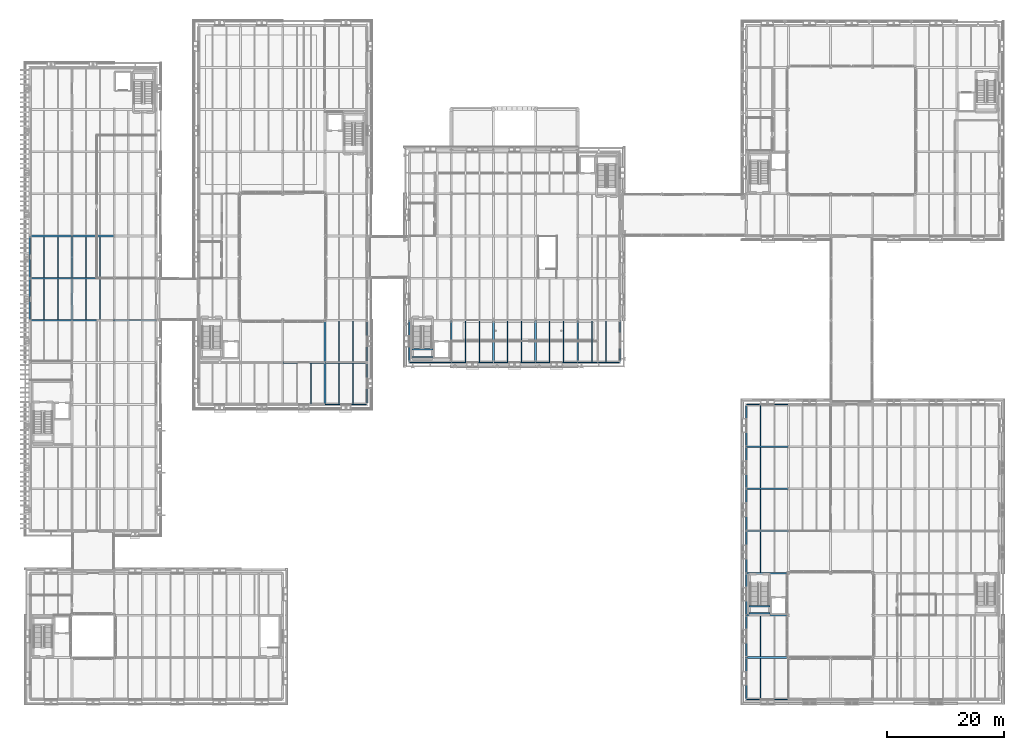
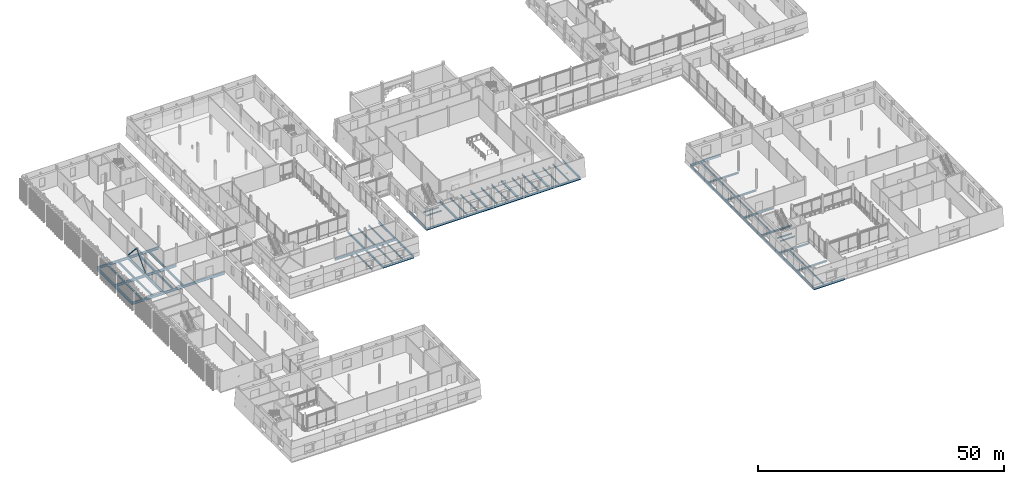
# One storey, part 26 of 121: 75 beams, 2 members.
"""IFC4 building model written with IfcOpenShell, lengths in metres."""

from ifc_helpers import new_model, si_unit, direction, frame, origin, origin_2d, place, context, subcontext, project, spatial, hollow_circle, i_section, extrude, material, material_profile, profile_set, type_object, element, save


model = new_model("IFC4")

# Units and contexts
model_context = context("Model", 3, precision=1e-05, world=origin(), true_north=direction((0.0, 1.0)))
body_context = subcontext(model_context, "Body", "Model", "MODEL_VIEW")
ifc_project = project(units=[si_unit("LENGTHUNIT", "METRE"), si_unit("AREAUNIT", "SQUARE_METRE"), si_unit("VOLUMEUNIT", "CUBIC_METRE"), si_unit("PLANEANGLEUNIT", "RADIAN"), si_unit("MASSUNIT", "GRAM", prefix="KILO")], contexts=[model_context])

# Site, building, storey
site_placement = place(None, origin())
site = spatial("IfcSite", under=ifc_project, at=site_placement, CompositionType="ELEMENT")
building_placement = place(site_placement, origin())
building = spatial("IfcBuilding", under=site, at=building_placement, Name="Narikvali Park Central Library", CompositionType="ELEMENT")
storey_placement = place(building_placement, frame((0.0, 0.0, 5.39990234375)))
storey = spatial("IfcBuildingStorey", under=building, at=storey_placement, Name="L01", CompositionType="ELEMENT", Elevation=5.39990234375)

# Beams
ifc_material = material(Name="Steel S355", Category="steel")
ifc_material_profile_1 = material_profile(ifc_material, i_section(OverallWidth=0.179931640625, OverallDepth=0.39990234375, WebThickness=0.008544921875, FlangeThickness=0.013427734375, FilletRadius=0.02099609375, at=origin_2d()), Name="IPE 400")
ifc_profile_set_1 = profile_set([ifc_material_profile_1], Name="Steel S355")
beam_type_1 = type_object("IfcBeamType", Name="Composite Floor Joist IPE400", PredefinedType="JOIST", material=ifc_profile_set_1)
beam_1_placement = place(storey_placement, frame((124.800048828125, 0.10498046875, -0.47998046875), z_axis=(0.0, 1.0, 0.0), x_axis=(-1.0, 0.0, 0.0)))
element("IfcBeam", 1, at=beam_1_placement, inside=storey, type_object=beam_type_1, Name="V6 L01 Composite Joist 1", PredefinedType="JOIST", context=body_context, shape_type="SweptSolid", body=[
    extrude(i_section(OverallWidth=0.179931640625, OverallDepth=0.39990234375, WebThickness=0.008544921875, FlangeThickness=0.013427734375, FilletRadius=0.02099609375, at=origin_2d()), origin(), (0.0, 0.0, 1.0), 6.945068359375),
])
for number, where, z_axis, x_axis, name in (
    (2, (124.800048828125, 7.35009765625, -0.47998046875), (0.0, 1.0, 0.0), (-1.0, 0.0, 0.0), "V6 L01 Composite Joist 1"),
    (3, (124.800048828125, 21.75, -0.47998046875), (0.0, 1.0, 0.0), (-1.0, 0.0, 0.0), "V6 L01 Composite Joist 1"),
):
    element("IfcBeam", number, at=place(storey_placement, frame(where, z_axis=z_axis, x_axis=x_axis)), inside=storey, type_object=beam_type_1, Name=name, PredefinedType="JOIST", context=body_context, shape_type="SweptSolid", body=[
        extrude(i_section(OverallWidth=0.179931640625, OverallDepth=0.39990234375, WebThickness=0.008544921875, FlangeThickness=0.013427734375, FilletRadius=0.02099609375, at=origin_2d()), origin(), (0.0, 0.0, 1.0), 6.89990234375),
    ])
for number, where, z_axis, x_axis, name in (
    (4, (124.800048828125, 28.949951171875, -0.47998046875), (0.0, 1.0, 0.0), (-1.0, 0.0, 0.0), "V6 L01 Composite Joist 1"),
    (5, (124.800048828125, 36.14990234375, -0.47998046875), (0.0, 1.0, 0.0), (-1.0, 0.0, 0.0), "V6 L01 Composite Joist 1"),
):
    element("IfcBeam", number, at=place(storey_placement, frame(where, z_axis=z_axis, x_axis=x_axis)), inside=storey, type_object=beam_type_1, Name=name, PredefinedType="JOIST", context=body_context, shape_type="SweptSolid", body=[
        extrude(i_section(OverallWidth=0.179931640625, OverallDepth=0.39990234375, WebThickness=0.008544921875, FlangeThickness=0.013427734375, FilletRadius=0.02099609375, at=origin_2d()), origin(), (0.0, 0.0, 1.0), 6.900146484375),
    ])
beam_2_placement = place(storey_placement, frame((124.800048828125, 43.35009765625, -0.47998046875), z_axis=(0.0, 1.0, 0.0), x_axis=(-1.0, 0.0, 0.0)))
element("IfcBeam", 6, at=beam_2_placement, inside=storey, type_object=beam_type_1, Name="V6 L01 Composite Joist 1", PredefinedType="JOIST", context=body_context, shape_type="SweptSolid", body=[
    extrude(i_section(OverallWidth=0.179931640625, OverallDepth=0.39990234375, WebThickness=0.008544921875, FlangeThickness=0.013427734375, FilletRadius=0.02099609375, at=origin_2d()), origin(), (0.0, 0.0, 1.0), 6.94482421875),
])
ifc_material_profile_2 = material_profile(ifc_material, i_section(OverallWidth=0.239990234375, OverallDepth=0.239990234375, WebThickness=0.010009765625, FlangeThickness=0.01708984375, FilletRadius=0.02099609375, at=origin_2d()), Name="HEB 240")
ifc_profile_set_2 = profile_set([ifc_material_profile_2], Name="Steel S355")
beam_type_2 = type_object("IfcBeamType", Name="Core Trimmer Girder HEB240", PredefinedType="BEAM", material=ifc_profile_set_2)
for number, where, z_axis, x_axis, name in (
    (7, (65.27001953125, 58.52001953125, 2.080078125), (1.0, 0.0, 0.0), (0.0, 1.0, 0.0), "ST-01 L01 Landing Trimmer Beam 1-1"),
    (8, (65.27001953125, 59.824951171875, 2.080078125), (1.0, 0.0, 0.0), (0.0, 1.0, 0.0), "ST-01 L01 Landing Trimmer Beam 1-2"),
):
    element("IfcBeam", number, at=place(storey_placement, frame(where, z_axis=z_axis, x_axis=x_axis)), inside=storey, type_object=beam_type_2, Name=name, PredefinedType="BEAM", context=body_context, shape_type="SweptSolid", body=[
        extrude(i_section(OverallWidth=0.239990234375, OverallDepth=0.239990234375, WebThickness=0.010009765625, FlangeThickness=0.01708984375, FilletRadius=0.02099609375, at=origin_2d()), origin(), (0.0, 0.0, 1.0), 3.56005859375),
    ])
ifc_material_profile_3 = material_profile(ifc_material, i_section(OverallWidth=0.264892578125, OverallDepth=0.7529296875, WebThickness=0.01318359375, FlangeThickness=0.01708984375, FilletRadius=0.01708984375, at=origin_2d()), Name="IPE 750x147")
ifc_profile_set_3 = profile_set([ifc_material_profile_3], Name="Steel S355")
beam_type_3 = type_object("IfcBeamType", Name="Fin Facade Spandrel IPE750", PredefinedType="SPANDREL", material=ifc_profile_set_3)
for number, where, z_axis, x_axis, name in (
    (9, (0.0, 64.80810546875, -0.676513671875), (0.0, 1.0, 0.0), (-1.0, 0.0, 0.0), "V5 L01 Girder Y"),
    (10, (0.0, 72.008056640625, -0.676513671875), (0.0, 1.0, 0.0), (-1.0, 0.0, 0.0), "V5 L01 Girder Y"),
):
    element("IfcBeam", number, at=place(storey_placement, frame(where, z_axis=z_axis, x_axis=x_axis)), inside=storey, type_object=beam_type_3, Name=name, PredefinedType="SPANDREL", context=body_context, shape_type="SweptSolid", body=[
        extrude(i_section(OverallWidth=0.264892578125, OverallDepth=0.7529296875, WebThickness=0.01318359375, FlangeThickness=0.01708984375, FilletRadius=0.01708984375, at=origin_2d()), origin(), (0.0, 0.0, 1.0), 7.183837890625),
    ])
ifc_material_profile_4 = material_profile(ifc_material, i_section(OverallWidth=0.181884765625, OverallDepth=0.404052734375, WebThickness=0.009765625, FlangeThickness=0.015380859375, FilletRadius=0.02099609375, at=origin_2d()), Name="IPEO 400")
ifc_profile_set_4 = profile_set([ifc_material_profile_4], Name="Steel S355")
beam_type_4 = type_object("IfcBeamType", Name="Gallery Floor Joist IPEO400", PredefinedType="JOIST", material=ifc_profile_set_4)
for number, where, z_axis, x_axis, name in (
    (11, (74.39990234375, 57.705078125, -0.48193359375), (0.0, 1.0, 0.0), (-1.0, 0.0, 0.0), "V1 L01 Composite Joist 1"),
    (12, (76.800048828125, 57.705078125, -0.48193359375), (0.0, 1.0, 0.0), (-1.0, 0.0, 0.0), "V1 L01 Composite Joist 2"),
    (13, (81.60009765625, 57.705078125, -0.48193359375), (0.0, 1.0, 0.0), (-1.0, 0.0, 0.0), "V1 L01 Composite Joist 1"),
    (14, (84.0, 57.705078125, -0.48193359375), (0.0, 1.0, 0.0), (-1.0, 0.0, 0.0), "V1 L01 Composite Joist 2"),
    (15, (88.800048828125, 57.705078125, -0.48193359375), (0.0, 1.0, 0.0), (-1.0, 0.0, 0.0), "V1 L01 Composite Joist 1"),
    (16, (91.199951171875, 57.705078125, -0.48193359375), (0.0, 1.0, 0.0), (-1.0, 0.0, 0.0), "V1 L01 Composite Joist 2"),
    (17, (96.0, 57.705078125, -0.48193359375), (0.0, 1.0, 0.0), (-1.0, 0.0, 0.0), "V1 L01 Composite Joist 1"),
    (18, (98.39990234375, 57.705078125, -0.48193359375), (0.0, 1.0, 0.0), (-1.0, 0.0, 0.0), "V1 L01 Composite Joist 2"),
):
    element("IfcBeam", number, at=place(storey_placement, frame(where, z_axis=z_axis, x_axis=x_axis)), inside=storey, type_object=beam_type_4, Name=name, PredefinedType="JOIST", context=body_context, shape_type="SweptSolid", body=[
        extrude(i_section(OverallWidth=0.181884765625, OverallDepth=0.404052734375, WebThickness=0.009765625, FlangeThickness=0.015380859375, FilletRadius=0.02099609375, at=origin_2d()), origin(), (0.0, 0.0, 1.0), 6.94482421875),
    ])
for number, where, z_axis, x_axis, name in (
    (19, (48.0, 50.5048828125, -0.48193359375), (0.0, 1.0, 0.0), (-1.0, 0.0, 0.0), "V4 L01 Composite Joist 2"),
    (20, (52.800048828125, 50.5048828125, -0.48193359375), (0.0, 1.0, 0.0), (-1.0, 0.0, 0.0), "V4 L01 Composite Joist 1"),
    (21, (55.199951171875, 50.5048828125, -0.48193359375), (0.0, 1.0, 0.0), (-1.0, 0.0, 0.0), "V4 L01 Composite Joist 2"),
):
    element("IfcBeam", number, at=place(storey_placement, frame(where, z_axis=z_axis, x_axis=x_axis)), inside=storey, type_object=beam_type_4, Name=name, PredefinedType="JOIST", context=body_context, shape_type="SweptSolid", body=[
        extrude(i_section(OverallWidth=0.181884765625, OverallDepth=0.404052734375, WebThickness=0.009765625, FlangeThickness=0.015380859375, FilletRadius=0.02099609375, at=origin_2d()), origin(), (0.0, 0.0, 1.0), 6.945068359375),
    ])
for number, where, z_axis, x_axis, name in (
    (22, (52.800048828125, 57.75, -0.48193359375), (0.0, 1.0, 0.0), (-1.0, 0.0, 0.0), "V4 L01 Composite Joist 1"),
    (23, (55.199951171875, 57.75, -0.48193359375), (0.0, 1.0, 0.0), (-1.0, 0.0, 0.0), "V4 L01 Composite Joist 2"),
):
    element("IfcBeam", number, at=place(storey_placement, frame(where, z_axis=z_axis, x_axis=x_axis)), inside=storey, type_object=beam_type_4, Name=name, PredefinedType="JOIST", context=body_context, shape_type="SweptSolid", body=[
        extrude(i_section(OverallWidth=0.181884765625, OverallDepth=0.404052734375, WebThickness=0.009765625, FlangeThickness=0.015380859375, FilletRadius=0.02099609375, at=origin_2d()), origin(), (0.0, 0.0, 1.0), 6.89990234375),
    ])

# Members
ifc_material_profile_5 = material_profile(ifc_material, hollow_circle(Radius=0.136474609375, WallThickness=0.01416015625, at=origin_2d()), Name="CHS 273x14.2")
ifc_profile_set_5 = profile_set([ifc_material_profile_5], Name="Steel S355")
member_type = type_object("IfcMemberType", Name="Heavy Stack Chevron Brace CHS273x14", PredefinedType="BRACE", material=ifc_profile_set_5)
member_1_placement = place(storey_placement, frame((7.199951171875, 72.014892578125, 0.01513671875), z_axis=(0.0, 0.670704011368, 0.741725103481), x_axis=(-1.0, 0.0, 0.0)))
element("IfcMember", 24, at=member_1_placement, inside=storey, type_object=member_type, Name="V5 L01 Seismic Chevron Brace A", PredefinedType="BRACE", context=body_context, shape_type="SweptSolid", body=[
    extrude(hollow_circle(Radius=0.136474609375, WallThickness=0.01416015625, at=origin_2d()), origin(), (0.0, 0.0, 1.0), 5.345458984375),
])
member_2_placement = place(storey_placement, frame((7.199951171875, 79.18505859375, 0.01513671875), z_axis=(0.0, -0.670678883083, 0.741747824929), x_axis=(1.0, 0.0, 0.0)))
element("IfcMember", 25, at=member_2_placement, inside=storey, type_object=member_type, Name="V5 L01 Seismic Chevron Brace B", PredefinedType="BRACE", context=body_context, shape_type="SweptSolid", body=[
    extrude(hollow_circle(Radius=0.136474609375, WallThickness=0.01416015625, at=origin_2d()), origin(), (0.0, 0.0, 1.0), 5.34521484375),
])

# Beams
ifc_material_profile_6 = material_profile(ifc_material, i_section(OverallWidth=0.2119140625, OverallDepth=0.555908203125, WebThickness=0.0126953125, FlangeThickness=0.020263671875, FilletRadius=0.02392578125, at=origin_2d()), Name="IPEO 550")
ifc_profile_set_6 = profile_set([ifc_material_profile_6], Name="Steel S355")
beam_type_5 = type_object("IfcBeamType", Name="Heavy Stack Joist IPEO550", PredefinedType="JOIST", material=ifc_profile_set_6)
for number, where, z_axis, x_axis, name in (
    (26, (2.39990234375, 64.949951171875, -0.577880859375), (0.0, 1.0, 0.0), (-1.0, 0.0, 0.0), "V5 L01 Composite Joist 1"),
    (27, (4.800048828125, 64.949951171875, -0.577880859375), (0.0, 1.0, 0.0), (-1.0, 0.0, 0.0), "V5 L01 Composite Joist 2"),
    (28, (2.39990234375, 72.14990234375, -0.577880859375), (0.0, 1.0, 0.0), (-1.0, 0.0, 0.0), "V5 L01 Composite Joist 1"),
    (29, (4.800048828125, 72.14990234375, -0.577880859375), (0.0, 1.0, 0.0), (-1.0, 0.0, 0.0), "V5 L01 Composite Joist 2"),
    (30, (9.60009765625, 64.949951171875, -0.577880859375), (0.0, 1.0, 0.0), (-1.0, 0.0, 0.0), "V5 L01 Composite Joist 1"),
    (31, (12.0, 64.949951171875, -0.577880859375), (0.0, 1.0, 0.0), (-1.0, 0.0, 0.0), "V5 L01 Composite Joist 2"),
    (32, (9.60009765625, 72.14990234375, -0.577880859375), (0.0, 1.0, 0.0), (-1.0, 0.0, 0.0), "V5 L01 Composite Joist 1"),
    (33, (12.0, 72.14990234375, -0.577880859375), (0.0, 1.0, 0.0), (-1.0, 0.0, 0.0), "V5 L01 Composite Joist 2"),
):
    element("IfcBeam", number, at=place(storey_placement, frame(where, z_axis=z_axis, x_axis=x_axis)), inside=storey, type_object=beam_type_5, Name=name, PredefinedType="JOIST", context=body_context, shape_type="SweptSolid", body=[
        extrude(i_section(OverallWidth=0.2119140625, OverallDepth=0.555908203125, WebThickness=0.0126953125, FlangeThickness=0.020263671875, FilletRadius=0.02392578125, at=origin_2d()), origin(), (0.0, 0.0, 1.0), 6.900146484375),
    ])
ifc_material_profile_7 = material_profile(ifc_material, i_section(OverallWidth=0.2099609375, OverallDepth=0.550048828125, WebThickness=0.010986328125, FlangeThickness=0.01708984375, FilletRadius=0.02392578125, at=origin_2d()), Name="IPE 550")
ifc_profile_set_7 = profile_set([ifc_material_profile_7], Name="Steel S355")
beam_type_6 = type_object("IfcBeamType", Name="Perimeter Spandrel IPE550", PredefinedType="SPANDREL", material=ifc_profile_set_7)
for number, where, z_axis, x_axis, name in (
    (34, (64.80810546875, 57.60009765625, -0.554931640625), (1.0, 0.0, 0.0), (0.0, 1.0, 0.0), "V1 L01 Girder X"),
    (35, (72.008056640625, 57.60009765625, -0.554931640625), (1.0, 0.0, 0.0), (0.0, 1.0, 0.0), "V1 L01 Girder X"),
):
    element("IfcBeam", number, at=place(storey_placement, frame(where, z_axis=z_axis, x_axis=x_axis)), inside=storey, type_object=beam_type_6, Name=name, PredefinedType="SPANDREL", context=body_context, shape_type="SweptSolid", body=[
        extrude(i_section(OverallWidth=0.2099609375, OverallDepth=0.550048828125, WebThickness=0.010986328125, FlangeThickness=0.01708984375, FilletRadius=0.02392578125, at=origin_2d()), origin(), (0.0, 0.0, 1.0), 7.183837890625),
    ])
for number, where, z_axis, x_axis, name in (
    (36, (79.2080078125, 57.60009765625, -0.554931640625), (1.0, 0.0, 0.0), (0.0, 1.0, 0.0), "V1 L01 Girder X"),
    (37, (86.407958984375, 57.60009765625, -0.554931640625), (1.0, 0.0, 0.0), (0.0, 1.0, 0.0), "V1 L01 Girder X"),
    (38, (93.60791015625, 57.60009765625, -0.554931640625), (1.0, 0.0, 0.0), (0.0, 1.0, 0.0), "V1 L01 Girder X"),
    (39, (64.800048828125, 57.60791015625, -0.554931640625), (0.0, 1.0, 0.0), (-1.0, 0.0, 0.0), "V1 L01 Girder Y"),
    (40, (100.800048828125, 57.60791015625, -0.554931640625), (0.0, 1.0, 0.0), (-1.0, 0.0, 0.0), "V1 L01 Girder Y"),
    (41, (50.407958984375, 50.39990234375, -0.554931640625), (1.0, 0.0, 0.0), (0.0, 1.0, 0.0), "V4 L01 Girder X"),
    (42, (57.60009765625, 50.407958984375, -0.554931640625), (0.0, 1.0, 0.0), (-1.0, 0.0, 0.0), "V4 L01 Girder Y"),
    (43, (57.60009765625, 57.60791015625, -0.554931640625), (0.0, 1.0, 0.0), (-1.0, 0.0, 0.0), "V4 L01 Girder Y"),
    (44, (122.407958984375, 0.0, -0.554931640625), (1.0, 0.0, 0.0), (0.0, 1.0, 0.0), "V6 L01 Girder X"),
    (45, (122.407958984375, 50.39990234375, -0.554931640625), (1.0, 0.0, 0.0), (0.0, 1.0, 0.0), "V6 L01 Girder X"),
):
    element("IfcBeam", number, at=place(storey_placement, frame(where, z_axis=z_axis, x_axis=x_axis)), inside=storey, type_object=beam_type_6, Name=name, PredefinedType="SPANDREL", context=body_context, shape_type="SweptSolid", body=[
        extrude(i_section(OverallWidth=0.2099609375, OverallDepth=0.550048828125, WebThickness=0.010986328125, FlangeThickness=0.01708984375, FilletRadius=0.02392578125, at=origin_2d()), origin(), (0.0, 0.0, 1.0), 7.18408203125),
    ])
beam_3_placement = place(storey_placement, frame((122.39990234375, 0.008056640625, -0.554931640625), z_axis=(0.0, 1.0, 0.0), x_axis=(-1.0, 0.0, 0.0)))
element("IfcBeam", 46, at=beam_3_placement, inside=storey, type_object=beam_type_6, Name="V6 L01 Girder Y", PredefinedType="SPANDREL", context=body_context, shape_type="SweptSolid", body=[
    extrude(i_section(OverallWidth=0.2099609375, OverallDepth=0.550048828125, WebThickness=0.010986328125, FlangeThickness=0.01708984375, FilletRadius=0.02392578125, at=origin_2d()), origin(), (0.0, 0.0, 1.0), 7.183837890625),
])
for number, where, z_axis, x_axis, name in (
    (47, (122.39990234375, 7.2080078125, -0.554931640625), (0.0, 1.0, 0.0), (-1.0, 0.0, 0.0), "V6 L01 Girder Y"),
    (48, (122.39990234375, 14.407958984375, -0.554931640625), (0.0, 1.0, 0.0), (-1.0, 0.0, 0.0), "V6 L01 Girder Y"),
    (49, (122.39990234375, 21.60791015625, -0.554931640625), (0.0, 1.0, 0.0), (-1.0, 0.0, 0.0), "V6 L01 Girder Y"),
):
    element("IfcBeam", number, at=place(storey_placement, frame(where, z_axis=z_axis, x_axis=x_axis)), inside=storey, type_object=beam_type_6, Name=name, PredefinedType="SPANDREL", context=body_context, shape_type="SweptSolid", body=[
        extrude(i_section(OverallWidth=0.2099609375, OverallDepth=0.550048828125, WebThickness=0.010986328125, FlangeThickness=0.01708984375, FilletRadius=0.02392578125, at=origin_2d()), origin(), (0.0, 0.0, 1.0), 7.18408203125),
    ])
for number, where, z_axis, x_axis, name in (
    (50, (122.39990234375, 28.80810546875, -0.554931640625), (0.0, 1.0, 0.0), (-1.0, 0.0, 0.0), "V6 L01 Girder Y"),
    (51, (122.39990234375, 36.008056640625, -0.554931640625), (0.0, 1.0, 0.0), (-1.0, 0.0, 0.0), "V6 L01 Girder Y"),
):
    element("IfcBeam", number, at=place(storey_placement, frame(where, z_axis=z_axis, x_axis=x_axis)), inside=storey, type_object=beam_type_6, Name=name, PredefinedType="SPANDREL", context=body_context, shape_type="SweptSolid", body=[
        extrude(i_section(OverallWidth=0.2099609375, OverallDepth=0.550048828125, WebThickness=0.010986328125, FlangeThickness=0.01708984375, FilletRadius=0.02392578125, at=origin_2d()), origin(), (0.0, 0.0, 1.0), 7.183837890625),
    ])
beam_4_placement = place(storey_placement, frame((122.39990234375, 43.2080078125, -0.554931640625), z_axis=(0.0, 1.0, 0.0), x_axis=(-1.0, 0.0, 0.0)))
element("IfcBeam", 52, at=beam_4_placement, inside=storey, type_object=beam_type_6, Name="V6 L01 Girder Y", PredefinedType="SPANDREL", context=body_context, shape_type="SweptSolid", body=[
    extrude(i_section(OverallWidth=0.2099609375, OverallDepth=0.550048828125, WebThickness=0.010986328125, FlangeThickness=0.01708984375, FilletRadius=0.02392578125, at=origin_2d()), origin(), (0.0, 0.0, 1.0), 7.18408203125),
])
ifc_material_profile_8 = material_profile(ifc_material, i_section(OverallWidth=0.239990234375, OverallDepth=0.22998046875, WebThickness=0.007568359375, FlangeThickness=0.011962890625, FilletRadius=0.02099609375, at=origin_2d()), Name="HEA 240")
ifc_profile_set_8 = profile_set([ifc_material_profile_8], Name="Steel S355")
beam_type_7 = type_object("IfcBeamType", Name="Primary Girder HEA240", PredefinedType="BEAM", material=ifc_profile_set_8)
for number, where, z_axis, x_axis, name in (
    (53, (122.8701171875, 14.77001953125, 2.085205078125), (1.0, 0.0, 0.0), (0.0, 1.0, 0.0), "ST-11 L01 Landing Trimmer Beam 1-1"),
    (54, (122.8701171875, 15.97509765625, 2.085205078125), (1.0, 0.0, 0.0), (0.0, 1.0, 0.0), "ST-11 L01 Landing Trimmer Beam 1-2"),
):
    element("IfcBeam", number, at=place(storey_placement, frame(where, z_axis=z_axis, x_axis=x_axis)), inside=storey, type_object=beam_type_7, Name=name, PredefinedType="BEAM", context=body_context, shape_type="SweptSolid", body=[
        extrude(i_section(OverallWidth=0.239990234375, OverallDepth=0.22998046875, WebThickness=0.007568359375, FlangeThickness=0.011962890625, FilletRadius=0.02099609375, at=origin_2d()), origin(), (0.0, 0.0, 1.0), 3.559814453125),
    ])
ifc_material_profile_9 = material_profile(ifc_material, i_section(OverallWidth=0.300048828125, OverallDepth=0.389892578125, WebThickness=0.010986328125, FlangeThickness=0.01904296875, FilletRadius=0.027099609375, at=origin_2d()), Name="HEA 400")
ifc_profile_set_9 = profile_set([ifc_material_profile_9], Name="Steel S355")
beam_type_8 = type_object("IfcBeamType", Name="Primary Girder HEA400", PredefinedType="BEAM", material=ifc_profile_set_9)
for number, where, z_axis, x_axis, name in (
    (55, (122.407958984375, 7.199951171875, -0.474853515625), (1.0, 0.0, 0.0), (0.0, 1.0, 0.0), "V6 L01 Girder X"),
    (56, (122.407958984375, 14.39990234375, -0.474853515625), (1.0, 0.0, 0.0), (0.0, 1.0, 0.0), "V6 L01 Girder X"),
    (57, (122.407958984375, 21.60009765625, -0.474853515625), (1.0, 0.0, 0.0), (0.0, 1.0, 0.0), "V6 L01 Girder X"),
    (58, (122.407958984375, 28.800048828125, -0.474853515625), (1.0, 0.0, 0.0), (0.0, 1.0, 0.0), "V6 L01 Girder X"),
    (59, (122.407958984375, 36.0, -0.474853515625), (1.0, 0.0, 0.0), (0.0, 1.0, 0.0), "V6 L01 Girder X"),
    (60, (122.407958984375, 43.199951171875, -0.474853515625), (1.0, 0.0, 0.0), (0.0, 1.0, 0.0), "V6 L01 Girder X"),
):
    element("IfcBeam", number, at=place(storey_placement, frame(where, z_axis=z_axis, x_axis=x_axis)), inside=storey, type_object=beam_type_8, Name=name, PredefinedType="BEAM", context=body_context, shape_type="SweptSolid", body=[
        extrude(i_section(OverallWidth=0.300048828125, OverallDepth=0.389892578125, WebThickness=0.010986328125, FlangeThickness=0.01904296875, FilletRadius=0.027099609375, at=origin_2d()), origin(), (0.0, 0.0, 1.0), 7.18408203125),
    ])
ifc_material_profile_10 = material_profile(ifc_material, i_section(OverallWidth=0.300048828125, OverallDepth=0.43994140625, WebThickness=0.011474609375, FlangeThickness=0.02099609375, FilletRadius=0.027099609375, at=origin_2d()), Name="HEA 450")
ifc_profile_set_10 = profile_set([ifc_material_profile_10], Name="Steel S355")
beam_type_9 = type_object("IfcBeamType", Name="Primary Girder HEA450", PredefinedType="BEAM", material=ifc_profile_set_10)
for number, where, z_axis, x_axis, name in (
    (61, (72.0, 57.60791015625, -0.5), (0.0, 1.0, 0.0), (-1.0, 0.0, 0.0), "V1 L01 Girder Y"),
    (62, (79.199951171875, 57.60791015625, -0.5), (0.0, 1.0, 0.0), (-1.0, 0.0, 0.0), "V1 L01 Girder Y"),
    (63, (86.39990234375, 57.60791015625, -0.5), (0.0, 1.0, 0.0), (-1.0, 0.0, 0.0), "V1 L01 Girder Y"),
    (64, (93.60009765625, 57.60791015625, -0.5), (0.0, 1.0, 0.0), (-1.0, 0.0, 0.0), "V1 L01 Girder Y"),
    (65, (50.39990234375, 50.407958984375, -0.5), (0.0, 1.0, 0.0), (-1.0, 0.0, 0.0), "V4 L01 Girder Y"),
    (66, (50.39990234375, 57.60791015625, -0.5), (0.0, 1.0, 0.0), (-1.0, 0.0, 0.0), "V4 L01 Girder Y"),
):
    element("IfcBeam", number, at=place(storey_placement, frame(where, z_axis=z_axis, x_axis=x_axis)), inside=storey, type_object=beam_type_9, Name=name, PredefinedType="BEAM", context=body_context, shape_type="SweptSolid", body=[
        extrude(i_section(OverallWidth=0.300048828125, OverallDepth=0.43994140625, WebThickness=0.011474609375, FlangeThickness=0.02099609375, FilletRadius=0.027099609375, at=origin_2d()), origin(), (0.0, 0.0, 1.0), 7.18408203125),
    ])
ifc_material_profile_11 = material_profile(ifc_material, i_section(OverallWidth=0.300048828125, OverallDepth=0.489990234375, WebThickness=0.011962890625, FlangeThickness=0.02294921875, FilletRadius=0.027099609375, at=origin_2d()), Name="HEA 500")
ifc_profile_set_11 = profile_set([ifc_material_profile_11], Name="Steel S355")
beam_type_10 = type_object("IfcBeamType", Name="Primary Girder HEA500", PredefinedType="BEAM", material=ifc_profile_set_11)
for number, where, z_axis, x_axis, name in (
    (67, (43.2080078125, 57.60009765625, -0.52490234375), (1.0, 0.0, 0.0), (0.0, 1.0, 0.0), "V4 L01 Girder X"),
    (68, (50.407958984375, 57.60009765625, -0.52490234375), (1.0, 0.0, 0.0), (0.0, 1.0, 0.0), "V4 L01 Girder X"),
):
    element("IfcBeam", number, at=place(storey_placement, frame(where, z_axis=z_axis, x_axis=x_axis)), inside=storey, type_object=beam_type_10, Name=name, PredefinedType="BEAM", context=body_context, shape_type="SweptSolid", body=[
        extrude(i_section(OverallWidth=0.300048828125, OverallDepth=0.489990234375, WebThickness=0.011962890625, FlangeThickness=0.02294921875, FilletRadius=0.027099609375, at=origin_2d()), origin(), (0.0, 0.0, 1.0), 7.18408203125),
    ])
ifc_material_profile_12 = material_profile(ifc_material, i_section(OverallWidth=0.300048828125, OverallDepth=0.590087890625, WebThickness=0.012939453125, FlangeThickness=0.02490234375, FilletRadius=0.027099609375, at=origin_2d()), Name="HEA 600")
ifc_profile_set_12 = profile_set([ifc_material_profile_12], Name="Steel S355")
beam_type_11 = type_object("IfcBeamType", Name="Primary Girder HEA600", PredefinedType="BEAM", material=ifc_profile_set_12)
for number, where, z_axis, x_axis, name in (
    (69, (7.199951171875, 64.80810546875, -0.594970703125), (0.0, 1.0, 0.0), (-1.0, 0.0, 0.0), "V5 L01 Girder Y"),
    (70, (7.199951171875, 72.008056640625, -0.594970703125), (0.0, 1.0, 0.0), (-1.0, 0.0, 0.0), "V5 L01 Girder Y"),
):
    element("IfcBeam", number, at=place(storey_placement, frame(where, z_axis=z_axis, x_axis=x_axis)), inside=storey, type_object=beam_type_11, Name=name, PredefinedType="BEAM", context=body_context, shape_type="SweptSolid", body=[
        extrude(i_section(OverallWidth=0.300048828125, OverallDepth=0.590087890625, WebThickness=0.012939453125, FlangeThickness=0.02490234375, FilletRadius=0.027099609375, at=origin_2d()), origin(), (0.0, 0.0, 1.0), 7.183837890625),
    ])
ifc_material_profile_13 = material_profile(ifc_material, i_section(OverallWidth=0.300048828125, OverallDepth=0.60009765625, WebThickness=0.015380859375, FlangeThickness=0.030029296875, FilletRadius=0.027099609375, at=origin_2d()), Name="HEB 600")
ifc_profile_set_13 = profile_set([ifc_material_profile_13], Name="Steel S355")
beam_type_12 = type_object("IfcBeamType", Name="Primary Stack Girder HEB600", PredefinedType="BEAM", material=ifc_profile_set_13)
beam_5_placement = place(storey_placement, frame((0.008056640625, 64.800048828125, -0.599853515625), z_axis=(1.0, 0.0, 0.0), x_axis=(0.0, 1.0, 0.0)))
element("IfcBeam", 71, at=beam_5_placement, inside=storey, type_object=beam_type_12, Name="V5 L01 Girder X", PredefinedType="BEAM", context=body_context, shape_type="SweptSolid", body=[
    extrude(i_section(OverallWidth=0.300048828125, OverallDepth=0.60009765625, WebThickness=0.015380859375, FlangeThickness=0.030029296875, FilletRadius=0.027099609375, at=origin_2d()), origin(), (0.0, 0.0, 1.0), 7.183837890625),
])
for number, where, z_axis, x_axis, name in (
    (72, (7.2080078125, 64.800048828125, -0.599853515625), (1.0, 0.0, 0.0), (0.0, 1.0, 0.0), "V5 L01 Girder X"),
    (73, (14.407958984375, 64.800048828125, -0.599853515625), (1.0, 0.0, 0.0), (0.0, 1.0, 0.0), "V5 L01 Girder X"),
):
    element("IfcBeam", number, at=place(storey_placement, frame(where, z_axis=z_axis, x_axis=x_axis)), inside=storey, type_object=beam_type_12, Name=name, PredefinedType="BEAM", context=body_context, shape_type="SweptSolid", body=[
        extrude(i_section(OverallWidth=0.300048828125, OverallDepth=0.60009765625, WebThickness=0.015380859375, FlangeThickness=0.030029296875, FilletRadius=0.027099609375, at=origin_2d()), origin(), (0.0, 0.0, 1.0), 7.18408203125),
    ])
beam_6_placement = place(storey_placement, frame((0.008056640625, 72.0, -0.599853515625), z_axis=(1.0, 0.0, 0.0), x_axis=(0.0, 1.0, 0.0)))
element("IfcBeam", 74, at=beam_6_placement, inside=storey, type_object=beam_type_12, Name="V5 L01 Girder X", PredefinedType="BEAM", context=body_context, shape_type="SweptSolid", body=[
    extrude(i_section(OverallWidth=0.300048828125, OverallDepth=0.60009765625, WebThickness=0.015380859375, FlangeThickness=0.030029296875, FilletRadius=0.027099609375, at=origin_2d()), origin(), (0.0, 0.0, 1.0), 7.183837890625),
])
beam_7_placement = place(storey_placement, frame((7.2080078125, 72.0, -0.599853515625), z_axis=(1.0, 0.0, 0.0), x_axis=(0.0, 1.0, 0.0)))
element("IfcBeam", 75, at=beam_7_placement, inside=storey, type_object=beam_type_12, Name="V5 L01 Girder X", PredefinedType="BEAM", context=body_context, shape_type="SweptSolid", body=[
    extrude(i_section(OverallWidth=0.300048828125, OverallDepth=0.60009765625, WebThickness=0.015380859375, FlangeThickness=0.030029296875, FilletRadius=0.027099609375, at=origin_2d()), origin(), (0.0, 0.0, 1.0), 7.18408203125),
])
beam_8_placement = place(storey_placement, frame((0.008056640625, 79.199951171875, -0.599853515625), z_axis=(1.0, 0.0, 0.0), x_axis=(0.0, 1.0, 0.0)))
element("IfcBeam", 76, at=beam_8_placement, inside=storey, type_object=beam_type_12, Name="V5 L01 Girder X", PredefinedType="BEAM", context=body_context, shape_type="SweptSolid", body=[
    extrude(i_section(OverallWidth=0.300048828125, OverallDepth=0.60009765625, WebThickness=0.015380859375, FlangeThickness=0.030029296875, FilletRadius=0.027099609375, at=origin_2d()), origin(), (0.0, 0.0, 1.0), 7.183837890625),
])
beam_9_placement = place(storey_placement, frame((7.2080078125, 79.199951171875, -0.599853515625), z_axis=(1.0, 0.0, 0.0), x_axis=(0.0, 1.0, 0.0)))
element("IfcBeam", 77, at=beam_9_placement, inside=storey, type_object=beam_type_12, Name="V5 L01 Girder X", PredefinedType="BEAM", context=body_context, shape_type="SweptSolid", body=[
    extrude(i_section(OverallWidth=0.300048828125, OverallDepth=0.60009765625, WebThickness=0.015380859375, FlangeThickness=0.030029296875, FilletRadius=0.027099609375, at=origin_2d()), origin(), (0.0, 0.0, 1.0), 7.18408203125),
])

save(model, "model.ifc")
